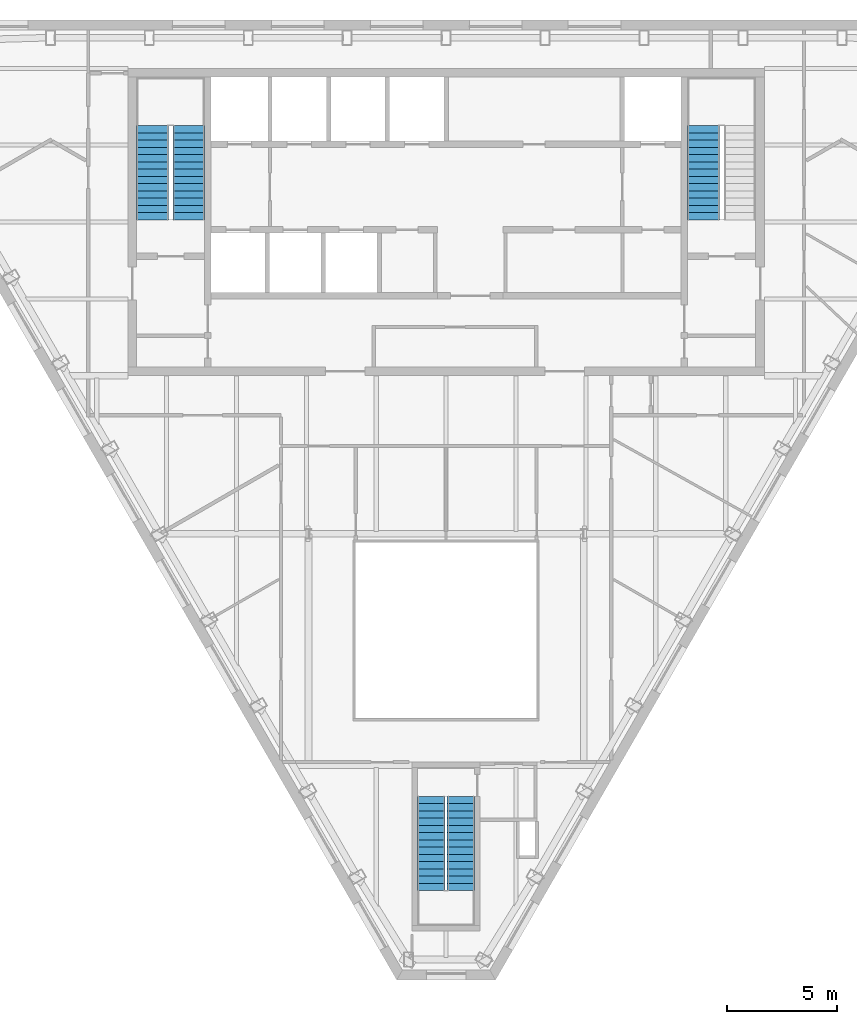
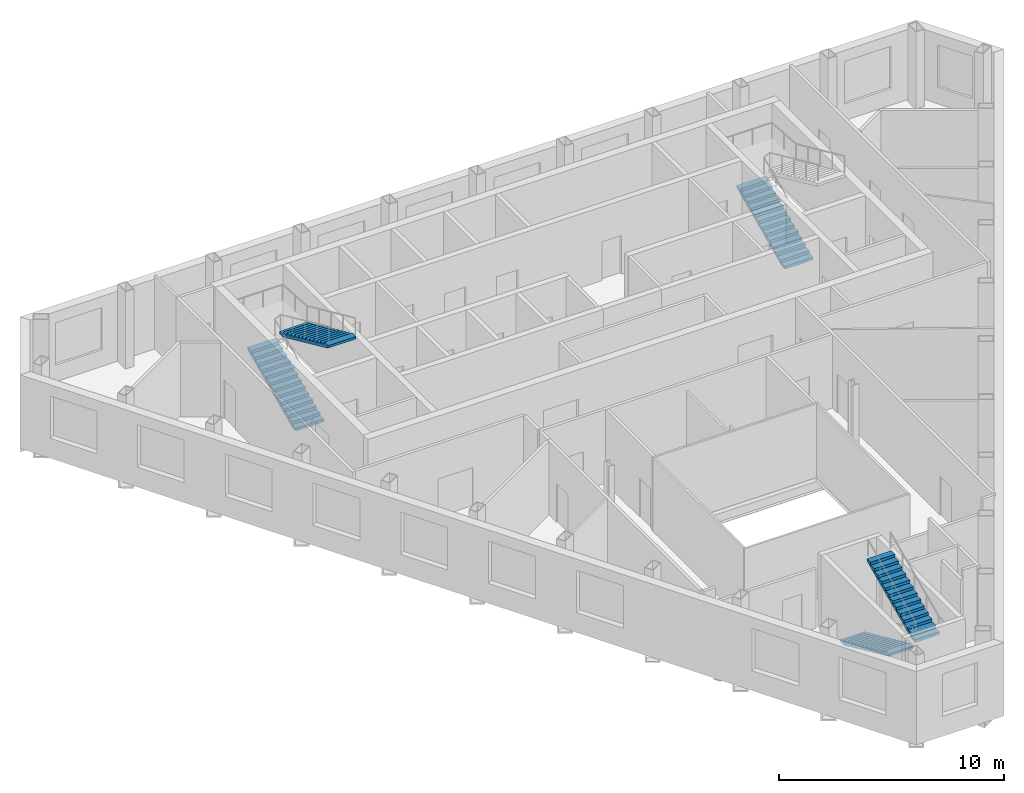
# One storey, part 9 of 11: 5 stair flights, 3 elements without a shape of their own.
"""IFC4 building model written with IfcOpenShell, lengths in metres."""

from ifc_helpers import new_model, si_unit, direction, frame, origin, place, context, subcontext, project, spatial, polygons, material, type_object, element, aggregate, save


model = new_model("IFC4")

# Units and contexts
model_context = context("Model", 3, precision=1e-05, world=origin(), true_north=direction((0.0, 1.0)))
body_context = subcontext(model_context, "Body", "Model", "MODEL_VIEW")
ifc_project = project(units=[si_unit("LENGTHUNIT", "METRE"), si_unit("AREAUNIT", "SQUARE_METRE"), si_unit("VOLUMEUNIT", "CUBIC_METRE"), si_unit("PLANEANGLEUNIT", "RADIAN"), si_unit("MASSUNIT", "GRAM", prefix="KILO")], contexts=[model_context])

# Site, building, storey
site_placement = place(None, origin())
site = spatial("IfcSite", under=ifc_project, at=site_placement, CompositionType="ELEMENT")
building_placement = place(site_placement, origin())
building = spatial("IfcBuilding", under=site, at=building_placement, Name="Njiva Tower", CompositionType="ELEMENT")
storey_placement = place(building_placement, frame((0.0, 0.0, 312.6)))
storey = spatial("IfcBuildingStorey", under=building, at=storey_placement, Name="L71", CompositionType="ELEMENT", Elevation=312.6)

# Stair, stair flights
ifc_material = material(Name="Concrete C40/50", Category="concrete")
stair_type_1 = type_object("IfcStairType", Name="ST1 Exit stair 1250", PredefinedType="HALF_TURN_STAIR", material=ifc_material)
stair_1_placement = place(storey_placement, origin())
stair_1 = element("IfcStair", 1, at=stair_1_placement, inside=storey, type_object=stair_type_1, Name="Stair C", PredefinedType="HALF_TURN_STAIR")
stair_flight_type_1 = type_object("IfcStairFlightType", Name="FL1 Stair flight 1250", PredefinedType="STRAIGHT", material=ifc_material)
stair_flight_1_placement = place(storey_placement, frame((-0.675, -15.16, 0.0), z_axis=(0.0, 0.0, 1.0), x_axis=(0.0, -1.0, 0.0)))
stair_flight_1 = element("IfcStairFlight", 2, at=stair_flight_1_placement, type_object=stair_flight_type_1, Name="ST-C flight 1", NumberOfRisers=14, NumberOfTreads=13, PredefinedType="STRAIGHT", RiserHeight=0.15, TreadLength=0.33, context=body_context, shape_type="Tessellation", body=[
    polygons([(0.0, 0.625, 0.0), (0.0, 0.3125, 0.0), (0.0, 0.0, 0.0), (0.0, -0.3125, 0.0), (0.0, -0.625, 0.0), (0.0, 0.625, 0.15), (0.0, 0.3125, 0.15), (0.0, 0.0, 0.15), (0.0, -0.3125, 0.15), (0.0, -0.625, 0.15), (0.33, 0.625, 0.15), (0.33, 0.3125, 0.15), (0.33, 0.0, 0.15), (0.33, -0.3125, 0.15), (0.33, -0.625, 0.15), (0.33, 0.625, 0.3), (0.33, 0.3125, 0.3), (0.33, 0.0, 0.3), (0.33, -0.3125, 0.3), (0.33, -0.625, 0.3), (0.66, 0.625, 0.3), (0.66, 0.3125, 0.3), (0.66, 0.0, 0.3), (0.66, -0.3125, 0.3), (0.66, -0.625, 0.3), (0.66, 0.625, 0.45), (0.66, 0.3125, 0.45), (0.66, 0.0, 0.45), (0.66, -0.3125, 0.45), (0.66, -0.625, 0.45), (0.99, 0.625, 0.45), (0.99, 0.3125, 0.45), (0.99, 0.0, 0.45), (0.99, -0.3125, 0.45), (0.99, -0.625, 0.45), (0.99, 0.625, 0.6), (0.99, 0.3125, 0.6), (0.99, 0.0, 0.6), (0.99, -0.3125, 0.6), (0.99, -0.625, 0.6), (1.32, 0.625, 0.6), (1.32, 0.3125, 0.6), (1.32, 0.0, 0.6), (1.32, -0.3125, 0.6), (1.32, -0.625, 0.6), (1.32, 0.625, 0.75), (1.32, 0.3125, 0.75), (1.32, 0.0, 0.75), (1.32, -0.3125, 0.75), (1.32, -0.625, 0.75), (1.65, 0.625, 0.75), (1.65, 0.3125, 0.75), (1.65, 0.0, 0.75), (1.65, -0.3125, 0.75), (1.65, -0.625, 0.75), (1.65, 0.625, 0.9), (1.65, 0.3125, 0.9), (1.65, 0.0, 0.9), (1.65, -0.3125, 0.9), (1.65, -0.625, 0.9), (1.98, 0.625, 0.9), (1.98, 0.3125, 0.9), (1.98, 0.0, 0.9), (1.98, -0.3125, 0.9), (1.98, -0.625, 0.9), (1.98, 0.625, 1.05), (1.98, 0.3125, 1.05), (1.98, 0.0, 1.05), (1.98, -0.3125, 1.05), (1.98, -0.625, 1.05), (2.31, 0.625, 1.05), (2.31, 0.3125, 1.05), (2.31, 0.0, 1.05), (2.31, -0.3125, 1.05), (2.31, -0.625, 1.05), (2.31, 0.625, 1.2), (2.31, 0.3125, 1.2), (2.31, 0.0, 1.2), (2.31, -0.3125, 1.2), (2.31, -0.625, 1.2), (2.64, 0.625, 1.2), (2.64, 0.3125, 1.2), (2.64, 0.0, 1.2), (2.64, -0.3125, 1.2), (2.64, -0.625, 1.2), (2.64, 0.625, 1.35), (2.64, 0.3125, 1.35), (2.64, 0.0, 1.35), (2.64, -0.3125, 1.35), (2.64, -0.625, 1.35), (2.97, 0.625, 1.35), (2.97, 0.3125, 1.35), (2.97, 0.0, 1.35), (2.97, -0.3125, 1.35), (2.97, -0.625, 1.35), (2.97, 0.625, 1.5), (2.97, 0.3125, 1.5), (2.97, 0.0, 1.5), (2.97, -0.3125, 1.5), (2.97, -0.625, 1.5), (3.3, 0.625, 1.5), (3.3, 0.3125, 1.5), (3.3, 0.0, 1.5), (3.3, -0.3125, 1.5), (3.3, -0.625, 1.5), (3.3, 0.625, 1.65), (3.3, 0.3125, 1.65), (3.3, 0.0, 1.65), (3.3, -0.3125, 1.65), (3.3, -0.625, 1.65), (3.63, 0.625, 1.65), (3.63, 0.3125, 1.65), (3.63, 0.0, 1.65), (3.63, -0.3125, 1.65), (3.63, -0.625, 1.65), (3.63, 0.625, 1.8), (3.63, 0.3125, 1.8), (3.63, 0.0, 1.8), (3.63, -0.3125, 1.8), (3.63, -0.625, 1.8), (3.96, 0.625, 1.8), (3.96, 0.3125, 1.8), (3.96, 0.0, 1.8), (3.96, -0.3125, 1.8), (3.96, -0.625, 1.8), (3.96, 0.625, 1.95), (3.96, 0.3125, 1.95), (3.96, 0.0, 1.95), (3.96, -0.3125, 1.95), (3.96, -0.625, 1.95), (4.29, 0.625, 1.95), (4.29, 0.3125, 1.95), (4.29, 0.0, 1.95), (4.29, -0.3125, 1.95), (4.29, -0.625, 1.95), (4.29, 0.625, 1.8182), (4.29, 0.3125, 1.8182), (4.29, 0.0, 1.8182), (4.29, -0.3125, 1.8182), (4.29, -0.625, 1.8182), (0.29, 0.625, 0.0), (0.29, 0.3125, 0.0), (0.29, 0.0, 0.0), (0.29, -0.3125, 0.0), (0.29, -0.625, 0.0)], [[[1, 6, 11, 16, 21, 26, 31, 36, 41, 46, 51, 56, 61, 66, 71, 76, 81, 86, 91, 96, 101, 106, 111, 116, 121, 126, 131, 136, 141]], [[145, 140, 135, 130, 125, 120, 115, 110, 105, 100, 95, 90, 85, 80, 75, 70, 65, 60, 55, 50, 45, 40, 35, 30, 25, 20, 15, 10, 5]], [[6, 1, 2, 7]], [[7, 2, 3, 8]], [[8, 3, 4, 9]], [[9, 4, 5, 10]], [[11, 6, 7, 12]], [[12, 7, 8, 13]], [[13, 8, 9, 14]], [[14, 9, 10, 15]], [[16, 11, 12, 17]], [[17, 12, 13, 18]], [[18, 13, 14, 19]], [[19, 14, 15, 20]], [[21, 16, 17, 22]], [[22, 17, 18, 23]], [[23, 18, 19, 24]], [[24, 19, 20, 25]], [[26, 21, 22, 27]], [[27, 22, 23, 28]], [[28, 23, 24, 29]], [[29, 24, 25, 30]], [[31, 26, 27, 32]], [[32, 27, 28, 33]], [[33, 28, 29, 34]], [[34, 29, 30, 35]], [[36, 31, 32, 37]], [[37, 32, 33, 38]], [[38, 33, 34, 39]], [[39, 34, 35, 40]], [[41, 36, 37, 42]], [[42, 37, 38, 43]], [[43, 38, 39, 44]], [[44, 39, 40, 45]], [[46, 41, 42, 47]], [[47, 42, 43, 48]], [[48, 43, 44, 49]], [[49, 44, 45, 50]], [[51, 46, 47, 52]], [[52, 47, 48, 53]], [[53, 48, 49, 54]], [[54, 49, 50, 55]], [[56, 51, 52, 57]], [[57, 52, 53, 58]], [[58, 53, 54, 59]], [[59, 54, 55, 60]], [[61, 56, 57, 62]], [[62, 57, 58, 63]], [[63, 58, 59, 64]], [[64, 59, 60, 65]], [[66, 61, 62, 67]], [[67, 62, 63, 68]], [[68, 63, 64, 69]], [[69, 64, 65, 70]], [[71, 66, 67, 72]], [[72, 67, 68, 73]], [[73, 68, 69, 74]], [[74, 69, 70, 75]], [[76, 71, 72, 77]], [[77, 72, 73, 78]], [[78, 73, 74, 79]], [[79, 74, 75, 80]], [[81, 76, 77, 82]], [[82, 77, 78, 83]], [[83, 78, 79, 84]], [[84, 79, 80, 85]], [[86, 81, 82, 87]], [[87, 82, 83, 88]], [[88, 83, 84, 89]], [[89, 84, 85, 90]], [[91, 86, 87, 92]], [[92, 87, 88, 93]], [[93, 88, 89, 94]], [[94, 89, 90, 95]], [[96, 91, 92, 97]], [[97, 92, 93, 98]], [[98, 93, 94, 99]], [[99, 94, 95, 100]], [[101, 96, 97, 102]], [[102, 97, 98, 103]], [[103, 98, 99, 104]], [[104, 99, 100, 105]], [[106, 101, 102, 107]], [[107, 102, 103, 108]], [[108, 103, 104, 109]], [[109, 104, 105, 110]], [[111, 106, 107, 112]], [[112, 107, 108, 113]], [[113, 108, 109, 114]], [[114, 109, 110, 115]], [[116, 111, 112, 117]], [[117, 112, 113, 118]], [[118, 113, 114, 119]], [[119, 114, 115, 120]], [[121, 116, 117, 122]], [[122, 117, 118, 123]], [[123, 118, 119, 124]], [[124, 119, 120, 125]], [[126, 121, 122, 127]], [[127, 122, 123, 128]], [[128, 123, 124, 129]], [[129, 124, 125, 130]], [[131, 126, 127, 132]], [[132, 127, 128, 133]], [[133, 128, 129, 134]], [[134, 129, 130, 135]], [[136, 131, 132, 137]], [[137, 132, 133, 138]], [[138, 133, 134, 139]], [[139, 134, 135, 140]], [[141, 136, 137, 142]], [[142, 137, 138, 143]], [[143, 138, 139, 144]], [[144, 139, 140, 145]], [[1, 141, 142, 2]], [[2, 142, 143, 3]], [[3, 143, 144, 4]], [[4, 144, 145, 5]]], closed=True),
])
stair_flight_2_placement = place(storey_placement, frame((0.675, -19.45, 2.1), z_axis=(0.0, 0.0, 1.0), x_axis=(0.0, 1.0, 0.0)))
stair_flight_2 = element("IfcStairFlight", 3, at=stair_flight_2_placement, type_object=stair_flight_type_1, Name="ST-C flight 2", NumberOfRisers=14, NumberOfTreads=13, PredefinedType="STRAIGHT", RiserHeight=0.15, TreadLength=0.33, context=body_context, shape_type="Tessellation", body=[
    polygons([(0.0, 0.625, 0.0), (0.0, 0.3125, 0.0), (0.0, 0.0, 0.0), (0.0, -0.3125, 0.0), (0.0, -0.625, 0.0), (0.0, 0.625, 0.15), (0.0, 0.3125, 0.15), (0.0, 0.0, 0.15), (0.0, -0.3125, 0.15), (0.0, -0.625, 0.15), (0.33, 0.625, 0.15), (0.33, 0.3125, 0.15), (0.33, 0.0, 0.15), (0.33, -0.3125, 0.15), (0.33, -0.625, 0.15), (0.33, 0.625, 0.3), (0.33, 0.3125, 0.3), (0.33, 0.0, 0.3), (0.33, -0.3125, 0.3), (0.33, -0.625, 0.3), (0.66, 0.625, 0.3), (0.66, 0.3125, 0.3), (0.66, 0.0, 0.3), (0.66, -0.3125, 0.3), (0.66, -0.625, 0.3), (0.66, 0.625, 0.45), (0.66, 0.3125, 0.45), (0.66, 0.0, 0.45), (0.66, -0.3125, 0.45), (0.66, -0.625, 0.45), (0.99, 0.625, 0.45), (0.99, 0.3125, 0.45), (0.99, 0.0, 0.45), (0.99, -0.3125, 0.45), (0.99, -0.625, 0.45), (0.99, 0.625, 0.6), (0.99, 0.3125, 0.6), (0.99, 0.0, 0.6), (0.99, -0.3125, 0.6), (0.99, -0.625, 0.6), (1.32, 0.625, 0.6), (1.32, 0.3125, 0.6), (1.32, 0.0, 0.6), (1.32, -0.3125, 0.6), (1.32, -0.625, 0.6), (1.32, 0.625, 0.75), (1.32, 0.3125, 0.75), (1.32, 0.0, 0.75), (1.32, -0.3125, 0.75), (1.32, -0.625, 0.75), (1.65, 0.625, 0.75), (1.65, 0.3125, 0.75), (1.65, 0.0, 0.75), (1.65, -0.3125, 0.75), (1.65, -0.625, 0.75), (1.65, 0.625, 0.9), (1.65, 0.3125, 0.9), (1.65, 0.0, 0.9), (1.65, -0.3125, 0.9), (1.65, -0.625, 0.9), (1.98, 0.625, 0.9), (1.98, 0.3125, 0.9), (1.98, 0.0, 0.9), (1.98, -0.3125, 0.9), (1.98, -0.625, 0.9), (1.98, 0.625, 1.05), (1.98, 0.3125, 1.05), (1.98, 0.0, 1.05), (1.98, -0.3125, 1.05), (1.98, -0.625, 1.05), (2.31, 0.625, 1.05), (2.31, 0.3125, 1.05), (2.31, 0.0, 1.05), (2.31, -0.3125, 1.05), (2.31, -0.625, 1.05), (2.31, 0.625, 1.2), (2.31, 0.3125, 1.2), (2.31, 0.0, 1.2), (2.31, -0.3125, 1.2), (2.31, -0.625, 1.2), (2.64, 0.625, 1.2), (2.64, 0.3125, 1.2), (2.64, 0.0, 1.2), (2.64, -0.3125, 1.2), (2.64, -0.625, 1.2), (2.64, 0.625, 1.35), (2.64, 0.3125, 1.35), (2.64, 0.0, 1.35), (2.64, -0.3125, 1.35), (2.64, -0.625, 1.35), (2.97, 0.625, 1.35), (2.97, 0.3125, 1.35), (2.97, 0.0, 1.35), (2.97, -0.3125, 1.35), (2.97, -0.625, 1.35), (2.97, 0.625, 1.5), (2.97, 0.3125, 1.5), (2.97, 0.0, 1.5), (2.97, -0.3125, 1.5), (2.97, -0.625, 1.5), (3.3, 0.625, 1.5), (3.3, 0.3125, 1.5), (3.3, 0.0, 1.5), (3.3, -0.3125, 1.5), (3.3, -0.625, 1.5), (3.3, 0.625, 1.65), (3.3, 0.3125, 1.65), (3.3, 0.0, 1.65), (3.3, -0.3125, 1.65), (3.3, -0.625, 1.65), (3.63, 0.625, 1.65), (3.63, 0.3125, 1.65), (3.63, 0.0, 1.65), (3.63, -0.3125, 1.65), (3.63, -0.625, 1.65), (3.63, 0.625, 1.8), (3.63, 0.3125, 1.8), (3.63, 0.0, 1.8), (3.63, -0.3125, 1.8), (3.63, -0.625, 1.8), (3.96, 0.625, 1.8), (3.96, 0.3125, 1.8), (3.96, 0.0, 1.8), (3.96, -0.3125, 1.8), (3.96, -0.625, 1.8), (3.96, 0.625, 1.95), (3.96, 0.3125, 1.95), (3.96, 0.0, 1.95), (3.96, -0.3125, 1.95), (3.96, -0.625, 1.95), (4.29, 0.625, 1.95), (4.29, 0.3125, 1.95), (4.29, 0.0, 1.95), (4.29, -0.3125, 1.95), (4.29, -0.625, 1.95), (4.29, 0.625, 1.8182), (4.29, 0.3125, 1.8182), (4.29, 0.0, 1.8182), (4.29, -0.3125, 1.8182), (4.29, -0.625, 1.8182), (0.29, 0.625, 0.0), (0.29, 0.3125, 0.0), (0.29, 0.0, 0.0), (0.29, -0.3125, 0.0), (0.29, -0.625, 0.0)], [[[1, 6, 11, 16, 21, 26, 31, 36, 41, 46, 51, 56, 61, 66, 71, 76, 81, 86, 91, 96, 101, 106, 111, 116, 121, 126, 131, 136, 141]], [[145, 140, 135, 130, 125, 120, 115, 110, 105, 100, 95, 90, 85, 80, 75, 70, 65, 60, 55, 50, 45, 40, 35, 30, 25, 20, 15, 10, 5]], [[6, 1, 2, 7]], [[7, 2, 3, 8]], [[8, 3, 4, 9]], [[9, 4, 5, 10]], [[11, 6, 7, 12]], [[12, 7, 8, 13]], [[13, 8, 9, 14]], [[14, 9, 10, 15]], [[16, 11, 12, 17]], [[17, 12, 13, 18]], [[18, 13, 14, 19]], [[19, 14, 15, 20]], [[21, 16, 17, 22]], [[22, 17, 18, 23]], [[23, 18, 19, 24]], [[24, 19, 20, 25]], [[26, 21, 22, 27]], [[27, 22, 23, 28]], [[28, 23, 24, 29]], [[29, 24, 25, 30]], [[31, 26, 27, 32]], [[32, 27, 28, 33]], [[33, 28, 29, 34]], [[34, 29, 30, 35]], [[36, 31, 32, 37]], [[37, 32, 33, 38]], [[38, 33, 34, 39]], [[39, 34, 35, 40]], [[41, 36, 37, 42]], [[42, 37, 38, 43]], [[43, 38, 39, 44]], [[44, 39, 40, 45]], [[46, 41, 42, 47]], [[47, 42, 43, 48]], [[48, 43, 44, 49]], [[49, 44, 45, 50]], [[51, 46, 47, 52]], [[52, 47, 48, 53]], [[53, 48, 49, 54]], [[54, 49, 50, 55]], [[56, 51, 52, 57]], [[57, 52, 53, 58]], [[58, 53, 54, 59]], [[59, 54, 55, 60]], [[61, 56, 57, 62]], [[62, 57, 58, 63]], [[63, 58, 59, 64]], [[64, 59, 60, 65]], [[66, 61, 62, 67]], [[67, 62, 63, 68]], [[68, 63, 64, 69]], [[69, 64, 65, 70]], [[71, 66, 67, 72]], [[72, 67, 68, 73]], [[73, 68, 69, 74]], [[74, 69, 70, 75]], [[76, 71, 72, 77]], [[77, 72, 73, 78]], [[78, 73, 74, 79]], [[79, 74, 75, 80]], [[81, 76, 77, 82]], [[82, 77, 78, 83]], [[83, 78, 79, 84]], [[84, 79, 80, 85]], [[86, 81, 82, 87]], [[87, 82, 83, 88]], [[88, 83, 84, 89]], [[89, 84, 85, 90]], [[91, 86, 87, 92]], [[92, 87, 88, 93]], [[93, 88, 89, 94]], [[94, 89, 90, 95]], [[96, 91, 92, 97]], [[97, 92, 93, 98]], [[98, 93, 94, 99]], [[99, 94, 95, 100]], [[101, 96, 97, 102]], [[102, 97, 98, 103]], [[103, 98, 99, 104]], [[104, 99, 100, 105]], [[106, 101, 102, 107]], [[107, 102, 103, 108]], [[108, 103, 104, 109]], [[109, 104, 105, 110]], [[111, 106, 107, 112]], [[112, 107, 108, 113]], [[113, 108, 109, 114]], [[114, 109, 110, 115]], [[116, 111, 112, 117]], [[117, 112, 113, 118]], [[118, 113, 114, 119]], [[119, 114, 115, 120]], [[121, 116, 117, 122]], [[122, 117, 118, 123]], [[123, 118, 119, 124]], [[124, 119, 120, 125]], [[126, 121, 122, 127]], [[127, 122, 123, 128]], [[128, 123, 124, 129]], [[129, 124, 125, 130]], [[131, 126, 127, 132]], [[132, 127, 128, 133]], [[133, 128, 129, 134]], [[134, 129, 130, 135]], [[136, 131, 132, 137]], [[137, 132, 133, 138]], [[138, 133, 134, 139]], [[139, 134, 135, 140]], [[141, 136, 137, 142]], [[142, 137, 138, 143]], [[143, 138, 139, 144]], [[144, 139, 140, 145]], [[1, 141, 142, 2]], [[2, 142, 143, 3]], [[3, 143, 144, 4]], [[4, 144, 145, 5]]], closed=True),
])
aggregate(stair_1, [stair_flight_1, stair_flight_2])

stair_type_2 = type_object("IfcStairType", Name="ST3 Exit stair 1450", PredefinedType="HALF_TURN_STAIR", material=ifc_material)
stair_2_placement = place(storey_placement, origin())
stair_2 = element("IfcStair", 4, at=stair_2_placement, inside=storey, type_object=stair_type_2, Name="Stair A", PredefinedType="HALF_TURN_STAIR")
stair_flight_type_2 = type_object("IfcStairFlightType", Name="FL3 Stair flight 1450", PredefinedType="STRAIGHT", material=ifc_material)
stair_flight_3_placement = place(storey_placement, frame((-13.375, 11.1, 0.0), z_axis=(0.0, 0.0, 1.0), x_axis=(0.0, 1.0, 0.0)))
stair_flight_3 = element("IfcStairFlight", 5, at=stair_flight_3_placement, type_object=stair_flight_type_2, Name="ST-A flight 1", NumberOfRisers=14, NumberOfTreads=13, PredefinedType="STRAIGHT", RiserHeight=0.15, TreadLength=0.33, context=body_context, shape_type="Tessellation", body=[
    polygons([(0.0, 0.725, 0.0), (0.0, 0.3625, 0.0), (0.0, 0.0, 0.0), (0.0, -0.3625, 0.0), (0.0, -0.725, 0.0), (0.0, 0.725, 0.15), (0.0, 0.3625, 0.15), (0.0, 0.0, 0.15), (0.0, -0.3625, 0.15), (0.0, -0.725, 0.15), (0.33, 0.725, 0.15), (0.33, 0.3625, 0.15), (0.33, 0.0, 0.15), (0.33, -0.3625, 0.15), (0.33, -0.725, 0.15), (0.33, 0.725, 0.3), (0.33, 0.3625, 0.3), (0.33, 0.0, 0.3), (0.33, -0.3625, 0.3), (0.33, -0.725, 0.3), (0.66, 0.725, 0.3), (0.66, 0.3625, 0.3), (0.66, 0.0, 0.3), (0.66, -0.3625, 0.3), (0.66, -0.725, 0.3), (0.66, 0.725, 0.45), (0.66, 0.3625, 0.45), (0.66, 0.0, 0.45), (0.66, -0.3625, 0.45), (0.66, -0.725, 0.45), (0.99, 0.725, 0.45), (0.99, 0.3625, 0.45), (0.99, 0.0, 0.45), (0.99, -0.3625, 0.45), (0.99, -0.725, 0.45), (0.99, 0.725, 0.6), (0.99, 0.3625, 0.6), (0.99, 0.0, 0.6), (0.99, -0.3625, 0.6), (0.99, -0.725, 0.6), (1.32, 0.725, 0.6), (1.32, 0.3625, 0.6), (1.32, 0.0, 0.6), (1.32, -0.3625, 0.6), (1.32, -0.725, 0.6), (1.32, 0.725, 0.75), (1.32, 0.3625, 0.75), (1.32, 0.0, 0.75), (1.32, -0.3625, 0.75), (1.32, -0.725, 0.75), (1.65, 0.725, 0.75), (1.65, 0.3625, 0.75), (1.65, 0.0, 0.75), (1.65, -0.3625, 0.75), (1.65, -0.725, 0.75), (1.65, 0.725, 0.9), (1.65, 0.3625, 0.9), (1.65, 0.0, 0.9), (1.65, -0.3625, 0.9), (1.65, -0.725, 0.9), (1.98, 0.725, 0.9), (1.98, 0.3625, 0.9), (1.98, 0.0, 0.9), (1.98, -0.3625, 0.9), (1.98, -0.725, 0.9), (1.98, 0.725, 1.05), (1.98, 0.3625, 1.05), (1.98, 0.0, 1.05), (1.98, -0.3625, 1.05), (1.98, -0.725, 1.05), (2.31, 0.725, 1.05), (2.31, 0.3625, 1.05), (2.31, 0.0, 1.05), (2.31, -0.3625, 1.05), (2.31, -0.725, 1.05), (2.31, 0.725, 1.2), (2.31, 0.3625, 1.2), (2.31, 0.0, 1.2), (2.31, -0.3625, 1.2), (2.31, -0.725, 1.2), (2.64, 0.725, 1.2), (2.64, 0.3625, 1.2), (2.64, 0.0, 1.2), (2.64, -0.3625, 1.2), (2.64, -0.725, 1.2), (2.64, 0.725, 1.35), (2.64, 0.3625, 1.35), (2.64, 0.0, 1.35), (2.64, -0.3625, 1.35), (2.64, -0.725, 1.35), (2.97, 0.725, 1.35), (2.97, 0.3625, 1.35), (2.97, 0.0, 1.35), (2.97, -0.3625, 1.35), (2.97, -0.725, 1.35), (2.97, 0.725, 1.5), (2.97, 0.3625, 1.5), (2.97, 0.0, 1.5), (2.97, -0.3625, 1.5), (2.97, -0.725, 1.5), (3.3, 0.725, 1.5), (3.3, 0.3625, 1.5), (3.3, 0.0, 1.5), (3.3, -0.3625, 1.5), (3.3, -0.725, 1.5), (3.3, 0.725, 1.65), (3.3, 0.3625, 1.65), (3.3, 0.0, 1.65), (3.3, -0.3625, 1.65), (3.3, -0.725, 1.65), (3.63, 0.725, 1.65), (3.63, 0.3625, 1.65), (3.63, 0.0, 1.65), (3.63, -0.3625, 1.65), (3.63, -0.725, 1.65), (3.63, 0.725, 1.8), (3.63, 0.3625, 1.8), (3.63, 0.0, 1.8), (3.63, -0.3625, 1.8), (3.63, -0.725, 1.8), (3.96, 0.725, 1.8), (3.96, 0.3625, 1.8), (3.96, 0.0, 1.8), (3.96, -0.3625, 1.8), (3.96, -0.725, 1.8), (3.96, 0.725, 1.95), (3.96, 0.3625, 1.95), (3.96, 0.0, 1.95), (3.96, -0.3625, 1.95), (3.96, -0.725, 1.95), (4.29, 0.725, 1.95), (4.29, 0.3625, 1.95), (4.29, 0.0, 1.95), (4.29, -0.3625, 1.95), (4.29, -0.725, 1.95), (4.29, 0.725, 1.8182), (4.29, 0.3625, 1.8182), (4.29, 0.0, 1.8182), (4.29, -0.3625, 1.8182), (4.29, -0.725, 1.8182), (0.29, 0.725, 0.0), (0.29, 0.3625, 0.0), (0.29, 0.0, 0.0), (0.29, -0.3625, 0.0), (0.29, -0.725, 0.0)], [[[1, 6, 11, 16, 21, 26, 31, 36, 41, 46, 51, 56, 61, 66, 71, 76, 81, 86, 91, 96, 101, 106, 111, 116, 121, 126, 131, 136, 141]], [[145, 140, 135, 130, 125, 120, 115, 110, 105, 100, 95, 90, 85, 80, 75, 70, 65, 60, 55, 50, 45, 40, 35, 30, 25, 20, 15, 10, 5]], [[6, 1, 2, 7]], [[7, 2, 3, 8]], [[8, 3, 4, 9]], [[9, 4, 5, 10]], [[11, 6, 7, 12]], [[12, 7, 8, 13]], [[13, 8, 9, 14]], [[14, 9, 10, 15]], [[16, 11, 12, 17]], [[17, 12, 13, 18]], [[18, 13, 14, 19]], [[19, 14, 15, 20]], [[21, 16, 17, 22]], [[22, 17, 18, 23]], [[23, 18, 19, 24]], [[24, 19, 20, 25]], [[26, 21, 22, 27]], [[27, 22, 23, 28]], [[28, 23, 24, 29]], [[29, 24, 25, 30]], [[31, 26, 27, 32]], [[32, 27, 28, 33]], [[33, 28, 29, 34]], [[34, 29, 30, 35]], [[36, 31, 32, 37]], [[37, 32, 33, 38]], [[38, 33, 34, 39]], [[39, 34, 35, 40]], [[41, 36, 37, 42]], [[42, 37, 38, 43]], [[43, 38, 39, 44]], [[44, 39, 40, 45]], [[46, 41, 42, 47]], [[47, 42, 43, 48]], [[48, 43, 44, 49]], [[49, 44, 45, 50]], [[51, 46, 47, 52]], [[52, 47, 48, 53]], [[53, 48, 49, 54]], [[54, 49, 50, 55]], [[56, 51, 52, 57]], [[57, 52, 53, 58]], [[58, 53, 54, 59]], [[59, 54, 55, 60]], [[61, 56, 57, 62]], [[62, 57, 58, 63]], [[63, 58, 59, 64]], [[64, 59, 60, 65]], [[66, 61, 62, 67]], [[67, 62, 63, 68]], [[68, 63, 64, 69]], [[69, 64, 65, 70]], [[71, 66, 67, 72]], [[72, 67, 68, 73]], [[73, 68, 69, 74]], [[74, 69, 70, 75]], [[76, 71, 72, 77]], [[77, 72, 73, 78]], [[78, 73, 74, 79]], [[79, 74, 75, 80]], [[81, 76, 77, 82]], [[82, 77, 78, 83]], [[83, 78, 79, 84]], [[84, 79, 80, 85]], [[86, 81, 82, 87]], [[87, 82, 83, 88]], [[88, 83, 84, 89]], [[89, 84, 85, 90]], [[91, 86, 87, 92]], [[92, 87, 88, 93]], [[93, 88, 89, 94]], [[94, 89, 90, 95]], [[96, 91, 92, 97]], [[97, 92, 93, 98]], [[98, 93, 94, 99]], [[99, 94, 95, 100]], [[101, 96, 97, 102]], [[102, 97, 98, 103]], [[103, 98, 99, 104]], [[104, 99, 100, 105]], [[106, 101, 102, 107]], [[107, 102, 103, 108]], [[108, 103, 104, 109]], [[109, 104, 105, 110]], [[111, 106, 107, 112]], [[112, 107, 108, 113]], [[113, 108, 109, 114]], [[114, 109, 110, 115]], [[116, 111, 112, 117]], [[117, 112, 113, 118]], [[118, 113, 114, 119]], [[119, 114, 115, 120]], [[121, 116, 117, 122]], [[122, 117, 118, 123]], [[123, 118, 119, 124]], [[124, 119, 120, 125]], [[126, 121, 122, 127]], [[127, 122, 123, 128]], [[128, 123, 124, 129]], [[129, 124, 125, 130]], [[131, 126, 127, 132]], [[132, 127, 128, 133]], [[133, 128, 129, 134]], [[134, 129, 130, 135]], [[136, 131, 132, 137]], [[137, 132, 133, 138]], [[138, 133, 134, 139]], [[139, 134, 135, 140]], [[141, 136, 137, 142]], [[142, 137, 138, 143]], [[143, 138, 139, 144]], [[144, 139, 140, 145]], [[1, 141, 142, 2]], [[2, 142, 143, 3]], [[3, 143, 144, 4]], [[4, 144, 145, 5]]], closed=True),
])
stair_flight_4_placement = place(storey_placement, frame((-11.725, 15.39, 2.1), z_axis=(0.0, 0.0, 1.0), x_axis=(0.0, -1.0, 0.0)))
stair_flight_4 = element("IfcStairFlight", 6, at=stair_flight_4_placement, type_object=stair_flight_type_2, Name="ST-A flight 2", NumberOfRisers=14, NumberOfTreads=13, PredefinedType="STRAIGHT", RiserHeight=0.15, TreadLength=0.33, context=body_context, shape_type="Tessellation", body=[
    polygons([(0.0, 0.725, 0.0), (0.0, 0.3625, 0.0), (0.0, 0.0, 0.0), (0.0, -0.3625, 0.0), (0.0, -0.725, 0.0), (0.0, 0.725, 0.15), (0.0, 0.3625, 0.15), (0.0, 0.0, 0.15), (0.0, -0.3625, 0.15), (0.0, -0.725, 0.15), (0.33, 0.725, 0.15), (0.33, 0.3625, 0.15), (0.33, 0.0, 0.15), (0.33, -0.3625, 0.15), (0.33, -0.725, 0.15), (0.33, 0.725, 0.3), (0.33, 0.3625, 0.3), (0.33, 0.0, 0.3), (0.33, -0.3625, 0.3), (0.33, -0.725, 0.3), (0.66, 0.725, 0.3), (0.66, 0.3625, 0.3), (0.66, 0.0, 0.3), (0.66, -0.3625, 0.3), (0.66, -0.725, 0.3), (0.66, 0.725, 0.45), (0.66, 0.3625, 0.45), (0.66, 0.0, 0.45), (0.66, -0.3625, 0.45), (0.66, -0.725, 0.45), (0.99, 0.725, 0.45), (0.99, 0.3625, 0.45), (0.99, 0.0, 0.45), (0.99, -0.3625, 0.45), (0.99, -0.725, 0.45), (0.99, 0.725, 0.6), (0.99, 0.3625, 0.6), (0.99, 0.0, 0.6), (0.99, -0.3625, 0.6), (0.99, -0.725, 0.6), (1.32, 0.725, 0.6), (1.32, 0.3625, 0.6), (1.32, 0.0, 0.6), (1.32, -0.3625, 0.6), (1.32, -0.725, 0.6), (1.32, 0.725, 0.75), (1.32, 0.3625, 0.75), (1.32, 0.0, 0.75), (1.32, -0.3625, 0.75), (1.32, -0.725, 0.75), (1.65, 0.725, 0.75), (1.65, 0.3625, 0.75), (1.65, 0.0, 0.75), (1.65, -0.3625, 0.75), (1.65, -0.725, 0.75), (1.65, 0.725, 0.9), (1.65, 0.3625, 0.9), (1.65, 0.0, 0.9), (1.65, -0.3625, 0.9), (1.65, -0.725, 0.9), (1.98, 0.725, 0.9), (1.98, 0.3625, 0.9), (1.98, 0.0, 0.9), (1.98, -0.3625, 0.9), (1.98, -0.725, 0.9), (1.98, 0.725, 1.05), (1.98, 0.3625, 1.05), (1.98, 0.0, 1.05), (1.98, -0.3625, 1.05), (1.98, -0.725, 1.05), (2.31, 0.725, 1.05), (2.31, 0.3625, 1.05), (2.31, 0.0, 1.05), (2.31, -0.3625, 1.05), (2.31, -0.725, 1.05), (2.31, 0.725, 1.2), (2.31, 0.3625, 1.2), (2.31, 0.0, 1.2), (2.31, -0.3625, 1.2), (2.31, -0.725, 1.2), (2.64, 0.725, 1.2), (2.64, 0.3625, 1.2), (2.64, 0.0, 1.2), (2.64, -0.3625, 1.2), (2.64, -0.725, 1.2), (2.64, 0.725, 1.35), (2.64, 0.3625, 1.35), (2.64, 0.0, 1.35), (2.64, -0.3625, 1.35), (2.64, -0.725, 1.35), (2.97, 0.725, 1.35), (2.97, 0.3625, 1.35), (2.97, 0.0, 1.35), (2.97, -0.3625, 1.35), (2.97, -0.725, 1.35), (2.97, 0.725, 1.5), (2.97, 0.3625, 1.5), (2.97, 0.0, 1.5), (2.97, -0.3625, 1.5), (2.97, -0.725, 1.5), (3.3, 0.725, 1.5), (3.3, 0.3625, 1.5), (3.3, 0.0, 1.5), (3.3, -0.3625, 1.5), (3.3, -0.725, 1.5), (3.3, 0.725, 1.65), (3.3, 0.3625, 1.65), (3.3, 0.0, 1.65), (3.3, -0.3625, 1.65), (3.3, -0.725, 1.65), (3.63, 0.725, 1.65), (3.63, 0.3625, 1.65), (3.63, 0.0, 1.65), (3.63, -0.3625, 1.65), (3.63, -0.725, 1.65), (3.63, 0.725, 1.8), (3.63, 0.3625, 1.8), (3.63, 0.0, 1.8), (3.63, -0.3625, 1.8), (3.63, -0.725, 1.8), (3.96, 0.725, 1.8), (3.96, 0.3625, 1.8), (3.96, 0.0, 1.8), (3.96, -0.3625, 1.8), (3.96, -0.725, 1.8), (3.96, 0.725, 1.95), (3.96, 0.3625, 1.95), (3.96, 0.0, 1.95), (3.96, -0.3625, 1.95), (3.96, -0.725, 1.95), (4.29, 0.725, 1.95), (4.29, 0.3625, 1.95), (4.29, 0.0, 1.95), (4.29, -0.3625, 1.95), (4.29, -0.725, 1.95), (4.29, 0.725, 1.8182), (4.29, 0.3625, 1.8182), (4.29, 0.0, 1.8182), (4.29, -0.3625, 1.8182), (4.29, -0.725, 1.8182), (0.29, 0.725, 0.0), (0.29, 0.3625, 0.0), (0.29, 0.0, 0.0), (0.29, -0.3625, 0.0), (0.29, -0.725, 0.0)], [[[1, 6, 11, 16, 21, 26, 31, 36, 41, 46, 51, 56, 61, 66, 71, 76, 81, 86, 91, 96, 101, 106, 111, 116, 121, 126, 131, 136, 141]], [[145, 140, 135, 130, 125, 120, 115, 110, 105, 100, 95, 90, 85, 80, 75, 70, 65, 60, 55, 50, 45, 40, 35, 30, 25, 20, 15, 10, 5]], [[6, 1, 2, 7]], [[7, 2, 3, 8]], [[8, 3, 4, 9]], [[9, 4, 5, 10]], [[11, 6, 7, 12]], [[12, 7, 8, 13]], [[13, 8, 9, 14]], [[14, 9, 10, 15]], [[16, 11, 12, 17]], [[17, 12, 13, 18]], [[18, 13, 14, 19]], [[19, 14, 15, 20]], [[21, 16, 17, 22]], [[22, 17, 18, 23]], [[23, 18, 19, 24]], [[24, 19, 20, 25]], [[26, 21, 22, 27]], [[27, 22, 23, 28]], [[28, 23, 24, 29]], [[29, 24, 25, 30]], [[31, 26, 27, 32]], [[32, 27, 28, 33]], [[33, 28, 29, 34]], [[34, 29, 30, 35]], [[36, 31, 32, 37]], [[37, 32, 33, 38]], [[38, 33, 34, 39]], [[39, 34, 35, 40]], [[41, 36, 37, 42]], [[42, 37, 38, 43]], [[43, 38, 39, 44]], [[44, 39, 40, 45]], [[46, 41, 42, 47]], [[47, 42, 43, 48]], [[48, 43, 44, 49]], [[49, 44, 45, 50]], [[51, 46, 47, 52]], [[52, 47, 48, 53]], [[53, 48, 49, 54]], [[54, 49, 50, 55]], [[56, 51, 52, 57]], [[57, 52, 53, 58]], [[58, 53, 54, 59]], [[59, 54, 55, 60]], [[61, 56, 57, 62]], [[62, 57, 58, 63]], [[63, 58, 59, 64]], [[64, 59, 60, 65]], [[66, 61, 62, 67]], [[67, 62, 63, 68]], [[68, 63, 64, 69]], [[69, 64, 65, 70]], [[71, 66, 67, 72]], [[72, 67, 68, 73]], [[73, 68, 69, 74]], [[74, 69, 70, 75]], [[76, 71, 72, 77]], [[77, 72, 73, 78]], [[78, 73, 74, 79]], [[79, 74, 75, 80]], [[81, 76, 77, 82]], [[82, 77, 78, 83]], [[83, 78, 79, 84]], [[84, 79, 80, 85]], [[86, 81, 82, 87]], [[87, 82, 83, 88]], [[88, 83, 84, 89]], [[89, 84, 85, 90]], [[91, 86, 87, 92]], [[92, 87, 88, 93]], [[93, 88, 89, 94]], [[94, 89, 90, 95]], [[96, 91, 92, 97]], [[97, 92, 93, 98]], [[98, 93, 94, 99]], [[99, 94, 95, 100]], [[101, 96, 97, 102]], [[102, 97, 98, 103]], [[103, 98, 99, 104]], [[104, 99, 100, 105]], [[106, 101, 102, 107]], [[107, 102, 103, 108]], [[108, 103, 104, 109]], [[109, 104, 105, 110]], [[111, 106, 107, 112]], [[112, 107, 108, 113]], [[113, 108, 109, 114]], [[114, 109, 110, 115]], [[116, 111, 112, 117]], [[117, 112, 113, 118]], [[118, 113, 114, 119]], [[119, 114, 115, 120]], [[121, 116, 117, 122]], [[122, 117, 118, 123]], [[123, 118, 119, 124]], [[124, 119, 120, 125]], [[126, 121, 122, 127]], [[127, 122, 123, 128]], [[128, 123, 124, 129]], [[129, 124, 125, 130]], [[131, 126, 127, 132]], [[132, 127, 128, 133]], [[133, 128, 129, 134]], [[134, 129, 130, 135]], [[136, 131, 132, 137]], [[137, 132, 133, 138]], [[138, 133, 134, 139]], [[139, 134, 135, 140]], [[141, 136, 137, 142]], [[142, 137, 138, 143]], [[143, 138, 139, 144]], [[144, 139, 140, 145]], [[1, 141, 142, 2]], [[2, 142, 143, 3]], [[3, 143, 144, 4]], [[4, 144, 145, 5]]], closed=True),
])
aggregate(stair_2, [stair_flight_3, stair_flight_4])

# Stair, stair flight
stair_3_placement = place(storey_placement, origin())
stair_3 = element("IfcStair", 7, at=stair_3_placement, inside=storey, type_object=stair_type_2, Name="Stair B", PredefinedType="HALF_TURN_STAIR")
stair_flight_5_placement = place(storey_placement, frame((11.725, 11.1, 0.0), z_axis=(0.0, 0.0, 1.0), x_axis=(0.0, 1.0, 0.0)))
stair_flight_5 = element("IfcStairFlight", 8, at=stair_flight_5_placement, type_object=stair_flight_type_2, Name="ST-B flight 1", NumberOfRisers=14, NumberOfTreads=13, PredefinedType="STRAIGHT", RiserHeight=0.15, TreadLength=0.33, context=body_context, shape_type="Tessellation", body=[
    polygons([(0.0, 0.725, 0.0), (0.0, 0.3625, 0.0), (0.0, 0.0, 0.0), (0.0, -0.3625, 0.0), (0.0, -0.725, 0.0), (0.0, 0.725, 0.15), (0.0, 0.3625, 0.15), (0.0, 0.0, 0.15), (0.0, -0.3625, 0.15), (0.0, -0.725, 0.15), (0.33, 0.725, 0.15), (0.33, 0.3625, 0.15), (0.33, 0.0, 0.15), (0.33, -0.3625, 0.15), (0.33, -0.725, 0.15), (0.33, 0.725, 0.3), (0.33, 0.3625, 0.3), (0.33, 0.0, 0.3), (0.33, -0.3625, 0.3), (0.33, -0.725, 0.3), (0.66, 0.725, 0.3), (0.66, 0.3625, 0.3), (0.66, 0.0, 0.3), (0.66, -0.3625, 0.3), (0.66, -0.725, 0.3), (0.66, 0.725, 0.45), (0.66, 0.3625, 0.45), (0.66, 0.0, 0.45), (0.66, -0.3625, 0.45), (0.66, -0.725, 0.45), (0.99, 0.725, 0.45), (0.99, 0.3625, 0.45), (0.99, 0.0, 0.45), (0.99, -0.3625, 0.45), (0.99, -0.725, 0.45), (0.99, 0.725, 0.6), (0.99, 0.3625, 0.6), (0.99, 0.0, 0.6), (0.99, -0.3625, 0.6), (0.99, -0.725, 0.6), (1.32, 0.725, 0.6), (1.32, 0.3625, 0.6), (1.32, 0.0, 0.6), (1.32, -0.3625, 0.6), (1.32, -0.725, 0.6), (1.32, 0.725, 0.75), (1.32, 0.3625, 0.75), (1.32, 0.0, 0.75), (1.32, -0.3625, 0.75), (1.32, -0.725, 0.75), (1.65, 0.725, 0.75), (1.65, 0.3625, 0.75), (1.65, 0.0, 0.75), (1.65, -0.3625, 0.75), (1.65, -0.725, 0.75), (1.65, 0.725, 0.9), (1.65, 0.3625, 0.9), (1.65, 0.0, 0.9), (1.65, -0.3625, 0.9), (1.65, -0.725, 0.9), (1.98, 0.725, 0.9), (1.98, 0.3625, 0.9), (1.98, 0.0, 0.9), (1.98, -0.3625, 0.9), (1.98, -0.725, 0.9), (1.98, 0.725, 1.05), (1.98, 0.3625, 1.05), (1.98, 0.0, 1.05), (1.98, -0.3625, 1.05), (1.98, -0.725, 1.05), (2.31, 0.725, 1.05), (2.31, 0.3625, 1.05), (2.31, 0.0, 1.05), (2.31, -0.3625, 1.05), (2.31, -0.725, 1.05), (2.31, 0.725, 1.2), (2.31, 0.3625, 1.2), (2.31, 0.0, 1.2), (2.31, -0.3625, 1.2), (2.31, -0.725, 1.2), (2.64, 0.725, 1.2), (2.64, 0.3625, 1.2), (2.64, 0.0, 1.2), (2.64, -0.3625, 1.2), (2.64, -0.725, 1.2), (2.64, 0.725, 1.35), (2.64, 0.3625, 1.35), (2.64, 0.0, 1.35), (2.64, -0.3625, 1.35), (2.64, -0.725, 1.35), (2.97, 0.725, 1.35), (2.97, 0.3625, 1.35), (2.97, 0.0, 1.35), (2.97, -0.3625, 1.35), (2.97, -0.725, 1.35), (2.97, 0.725, 1.5), (2.97, 0.3625, 1.5), (2.97, 0.0, 1.5), (2.97, -0.3625, 1.5), (2.97, -0.725, 1.5), (3.3, 0.725, 1.5), (3.3, 0.3625, 1.5), (3.3, 0.0, 1.5), (3.3, -0.3625, 1.5), (3.3, -0.725, 1.5), (3.3, 0.725, 1.65), (3.3, 0.3625, 1.65), (3.3, 0.0, 1.65), (3.3, -0.3625, 1.65), (3.3, -0.725, 1.65), (3.63, 0.725, 1.65), (3.63, 0.3625, 1.65), (3.63, 0.0, 1.65), (3.63, -0.3625, 1.65), (3.63, -0.725, 1.65), (3.63, 0.725, 1.8), (3.63, 0.3625, 1.8), (3.63, 0.0, 1.8), (3.63, -0.3625, 1.8), (3.63, -0.725, 1.8), (3.96, 0.725, 1.8), (3.96, 0.3625, 1.8), (3.96, 0.0, 1.8), (3.96, -0.3625, 1.8), (3.96, -0.725, 1.8), (3.96, 0.725, 1.95), (3.96, 0.3625, 1.95), (3.96, 0.0, 1.95), (3.96, -0.3625, 1.95), (3.96, -0.725, 1.95), (4.29, 0.725, 1.95), (4.29, 0.3625, 1.95), (4.29, 0.0, 1.95), (4.29, -0.3625, 1.95), (4.29, -0.725, 1.95), (4.29, 0.725, 1.8182), (4.29, 0.3625, 1.8182), (4.29, 0.0, 1.8182), (4.29, -0.3625, 1.8182), (4.29, -0.725, 1.8182), (0.29, 0.725, 0.0), (0.29, 0.3625, 0.0), (0.29, 0.0, 0.0), (0.29, -0.3625, 0.0), (0.29, -0.725, 0.0)], [[[1, 6, 11, 16, 21, 26, 31, 36, 41, 46, 51, 56, 61, 66, 71, 76, 81, 86, 91, 96, 101, 106, 111, 116, 121, 126, 131, 136, 141]], [[145, 140, 135, 130, 125, 120, 115, 110, 105, 100, 95, 90, 85, 80, 75, 70, 65, 60, 55, 50, 45, 40, 35, 30, 25, 20, 15, 10, 5]], [[6, 1, 2, 7]], [[7, 2, 3, 8]], [[8, 3, 4, 9]], [[9, 4, 5, 10]], [[11, 6, 7, 12]], [[12, 7, 8, 13]], [[13, 8, 9, 14]], [[14, 9, 10, 15]], [[16, 11, 12, 17]], [[17, 12, 13, 18]], [[18, 13, 14, 19]], [[19, 14, 15, 20]], [[21, 16, 17, 22]], [[22, 17, 18, 23]], [[23, 18, 19, 24]], [[24, 19, 20, 25]], [[26, 21, 22, 27]], [[27, 22, 23, 28]], [[28, 23, 24, 29]], [[29, 24, 25, 30]], [[31, 26, 27, 32]], [[32, 27, 28, 33]], [[33, 28, 29, 34]], [[34, 29, 30, 35]], [[36, 31, 32, 37]], [[37, 32, 33, 38]], [[38, 33, 34, 39]], [[39, 34, 35, 40]], [[41, 36, 37, 42]], [[42, 37, 38, 43]], [[43, 38, 39, 44]], [[44, 39, 40, 45]], [[46, 41, 42, 47]], [[47, 42, 43, 48]], [[48, 43, 44, 49]], [[49, 44, 45, 50]], [[51, 46, 47, 52]], [[52, 47, 48, 53]], [[53, 48, 49, 54]], [[54, 49, 50, 55]], [[56, 51, 52, 57]], [[57, 52, 53, 58]], [[58, 53, 54, 59]], [[59, 54, 55, 60]], [[61, 56, 57, 62]], [[62, 57, 58, 63]], [[63, 58, 59, 64]], [[64, 59, 60, 65]], [[66, 61, 62, 67]], [[67, 62, 63, 68]], [[68, 63, 64, 69]], [[69, 64, 65, 70]], [[71, 66, 67, 72]], [[72, 67, 68, 73]], [[73, 68, 69, 74]], [[74, 69, 70, 75]], [[76, 71, 72, 77]], [[77, 72, 73, 78]], [[78, 73, 74, 79]], [[79, 74, 75, 80]], [[81, 76, 77, 82]], [[82, 77, 78, 83]], [[83, 78, 79, 84]], [[84, 79, 80, 85]], [[86, 81, 82, 87]], [[87, 82, 83, 88]], [[88, 83, 84, 89]], [[89, 84, 85, 90]], [[91, 86, 87, 92]], [[92, 87, 88, 93]], [[93, 88, 89, 94]], [[94, 89, 90, 95]], [[96, 91, 92, 97]], [[97, 92, 93, 98]], [[98, 93, 94, 99]], [[99, 94, 95, 100]], [[101, 96, 97, 102]], [[102, 97, 98, 103]], [[103, 98, 99, 104]], [[104, 99, 100, 105]], [[106, 101, 102, 107]], [[107, 102, 103, 108]], [[108, 103, 104, 109]], [[109, 104, 105, 110]], [[111, 106, 107, 112]], [[112, 107, 108, 113]], [[113, 108, 109, 114]], [[114, 109, 110, 115]], [[116, 111, 112, 117]], [[117, 112, 113, 118]], [[118, 113, 114, 119]], [[119, 114, 115, 120]], [[121, 116, 117, 122]], [[122, 117, 118, 123]], [[123, 118, 119, 124]], [[124, 119, 120, 125]], [[126, 121, 122, 127]], [[127, 122, 123, 128]], [[128, 123, 124, 129]], [[129, 124, 125, 130]], [[131, 126, 127, 132]], [[132, 127, 128, 133]], [[133, 128, 129, 134]], [[134, 129, 130, 135]], [[136, 131, 132, 137]], [[137, 132, 133, 138]], [[138, 133, 134, 139]], [[139, 134, 135, 140]], [[141, 136, 137, 142]], [[142, 137, 138, 143]], [[143, 138, 139, 144]], [[144, 139, 140, 145]], [[1, 141, 142, 2]], [[2, 142, 143, 3]], [[3, 143, 144, 4]], [[4, 144, 145, 5]]], closed=True),
])
aggregate(stair_3, [stair_flight_5])

save(model, "model.ifc")
